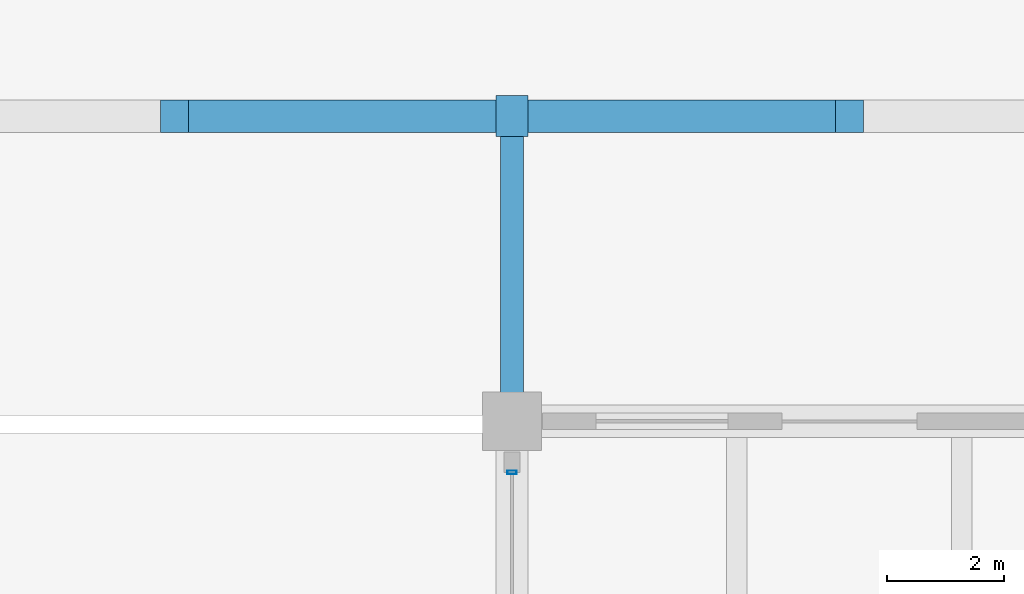
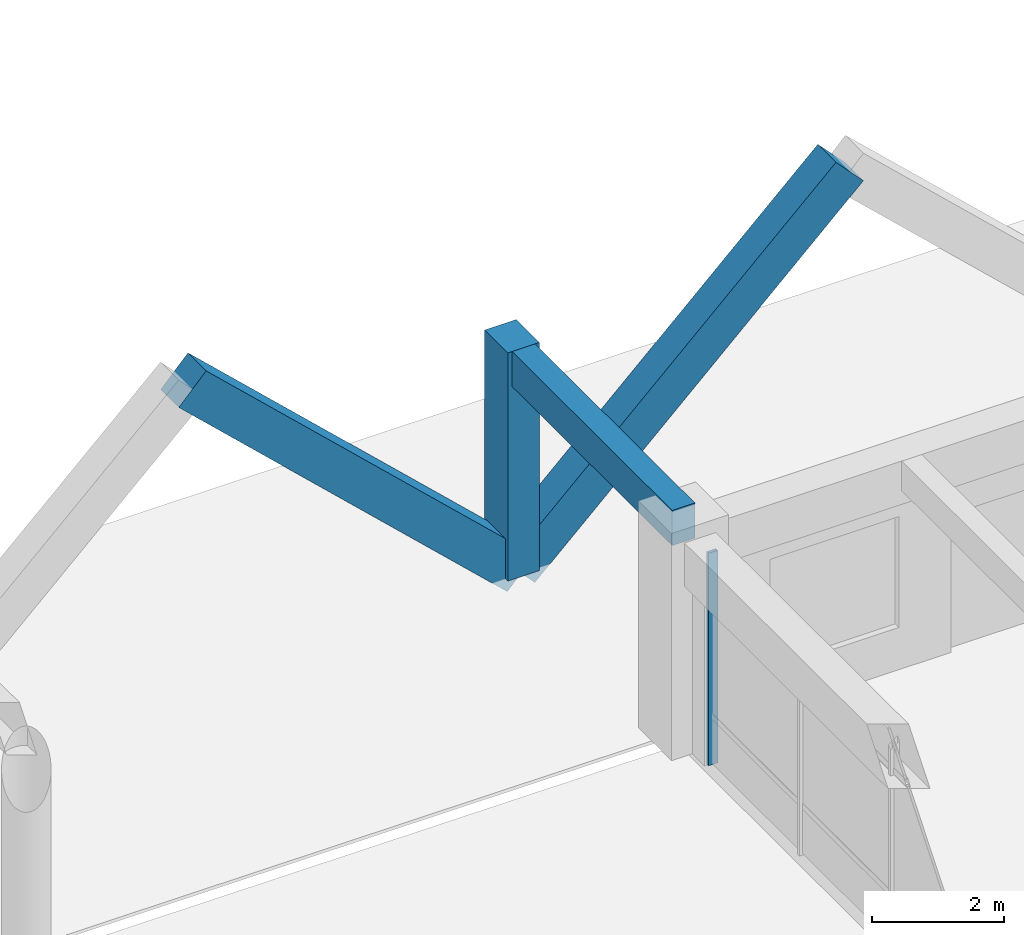
# One storey, part 52 of 109: 4 members, 1 beam, 1 element without a shape of its own.
"""IFC4 building model written with IfcOpenShell, lengths in metres."""

from ifc_helpers import new_model, si_unit, direction, frame, origin, origin_2d, place, context, subcontext, project, spatial, rectangle, hollow_rectangle, extrude, material, material_profile, profile_set, type_object, element, aggregate, save


model = new_model("IFC4")

# Units and contexts
model_context = context("Model", 3, precision=1e-05, world=origin(), true_north=direction((0.0, 1.0)))
body_context = subcontext(model_context, "Body", "Model", "MODEL_VIEW")
ifc_project = project(units=[si_unit("LENGTHUNIT", "METRE"), si_unit("AREAUNIT", "SQUARE_METRE"), si_unit("VOLUMEUNIT", "CUBIC_METRE"), si_unit("PLANEANGLEUNIT", "RADIAN"), si_unit("MASSUNIT", "GRAM", prefix="KILO")], contexts=[model_context])

# Site, building, storey
site_placement = place(None, origin())
site = spatial("IfcSite", under=ifc_project, at=site_placement, CompositionType="ELEMENT")
building_placement = place(site_placement, origin())
building = spatial("IfcBuilding", under=site, at=building_placement, Name="Ologun Quay Terminus", CompositionType="ELEMENT")
storey_placement = place(building_placement, origin())
storey = spatial("IfcBuildingStorey", under=building, at=storey_placement, Name="L00", CompositionType="ELEMENT", Elevation=0.0)

# Curtain wall, member
ifc_material_1 = material(Name="Aluminium 6063-T6", Category="aluminium")
curtain_wall_type = type_object("IfcCurtainWallType", Name="Rain-Garden East Courtyard Curtain Wall L00 9200x3750", PredefinedType="USERDEFINED", material=ifc_material_1)
curtain_wall_placement = place(storey_placement, origin())
curtain_wall = element("IfcCurtainWall", 1, at=curtain_wall_placement, inside=storey, type_object=curtain_wall_type, Name="CW-17 Curtain Wall CW-L00-123", ObjectType="UNITISED CURTAIN WALL", PredefinedType="USERDEFINED")
ifc_material_2 = material(Name="Aluminium 6063-T6", Category="aluminium")
ifc_material_profile_1 = material_profile(ifc_material_2, hollow_rectangle(XDim=0.06005859375, YDim=0.159912109375, WallThickness=0.00390625, at=origin_2d()), Name="ALU 160x60x4")
ifc_profile_set_1 = profile_set([ifc_material_profile_1], Name="Aluminium 6063-T6")
member_type_1 = type_object("IfcMemberType", Name="Courtyard Screen Mullion 160x65", PredefinedType="MULLION", material=ifc_profile_set_1)
member_1_placement = place(storey_placement, frame((115.0, 113.929931640625, 0.0), z_axis=(0.0, 0.0, 1.0), x_axis=(0.0, 1.0, 0.0)))
member_1 = element("IfcMember", 2, at=member_1_placement, type_object=member_type_1, Name="CW-L00-123 Mullion 4", PredefinedType="MULLION", context=body_context, shape_type="SweptSolid", body=[
    extrude(hollow_rectangle(XDim=0.06005859375, YDim=0.159912109375, WallThickness=0.00390625, at=origin_2d()), origin(), (0.0, 0.0, 1.0), 3.929931640625),
])
aggregate(curtain_wall, [member_1])

# Members
ifc_material_3 = material(Name="Concrete C45/55", Category="concrete")
ifc_material_profile_2 = material_profile(ifc_material_3, rectangle(XDim=0.550048828125, YDim=0.699951171875, at=origin_2d()), Name="RC 550x700")
ifc_profile_set_2 = profile_set([ifc_material_profile_2], Name="Concrete C45/55")
member_type_2 = type_object("IfcMemberType", Name="Folded Canopy Concrete V-Strut 550x700", PredefinedType="STRUT", material=ifc_profile_set_2)
member_2_placement = place(storey_placement, frame((115.0, 120.0, 0.0), z_axis=(0.0, 0.0, 1.0), x_axis=(1.0, 0.0, 0.0)))
element("IfcMember", 3, at=member_2_placement, inside=storey, type_object=member_type_2, Name="VS2 Harbour Colonnade Pier 11/L", PredefinedType="STRUT", context=body_context, shape_type="SweptSolid", body=[
    extrude(rectangle(XDim=0.550048828125, YDim=0.699951171875, at=origin_2d()), origin(), (0.0, 0.0, 1.0), 4.219970703125),
])
for number, where, z_axis, x_axis, name in (
    (4, (115.0, 120.0, 0.0), (-0.727684573488, 0.0, 0.685911919643), (0.0, -1.0, 0.0), "VS2 Colonnade Strut 11/L-W"),
    (5, (115.0, 120.0, 0.0), (0.727684573488, 0.0, 0.685911919643), (0.0, 1.0, 0.0), "VS2 Colonnade Strut 11/L-E"),
):
    element("IfcMember", number, at=place(storey_placement, frame(where, z_axis=z_axis, x_axis=x_axis)), inside=storey, type_object=member_type_2, Name=name, PredefinedType="STRUT", context=body_context, shape_type="SweptSolid", body=[
        extrude(rectangle(XDim=0.550048828125, YDim=0.699951171875, at=origin_2d()), origin(), (0.0, 0.0, 1.0), 7.90185546875),
    ])

# Beam
ifc_material_4 = material(Name="Concrete C40/50", Category="concrete")
ifc_material_profile_3 = material_profile(ifc_material_4, rectangle(XDim=0.39990234375, YDim=0.64990234375, at=origin_2d()), Name="RC 400x650")
ifc_profile_set_3 = profile_set([ifc_material_profile_3], Name="Concrete C40/50")
beam_type = type_object("IfcBeamType", Name="Station Secondary Joist 400x650", PredefinedType="JOIST", material=ifc_profile_set_3)
beam_placement = place(storey_placement, frame((115.0, 114.800048828125, 3.89501953125), z_axis=(0.0, 1.0, 0.0), x_axis=(-1.0, 0.0, 0.0)))
element("IfcBeam", 6, at=beam_placement, inside=storey, type_object=beam_type, Name="J1 Beam 11/L L00", PredefinedType="JOIST", context=body_context, shape_type="SweptSolid", body=[
    extrude(rectangle(XDim=0.39990234375, YDim=0.64990234375, at=origin_2d()), origin(), (0.0, 0.0, 1.0), 5.199951171875),
])

save(model, "model.ifc")
